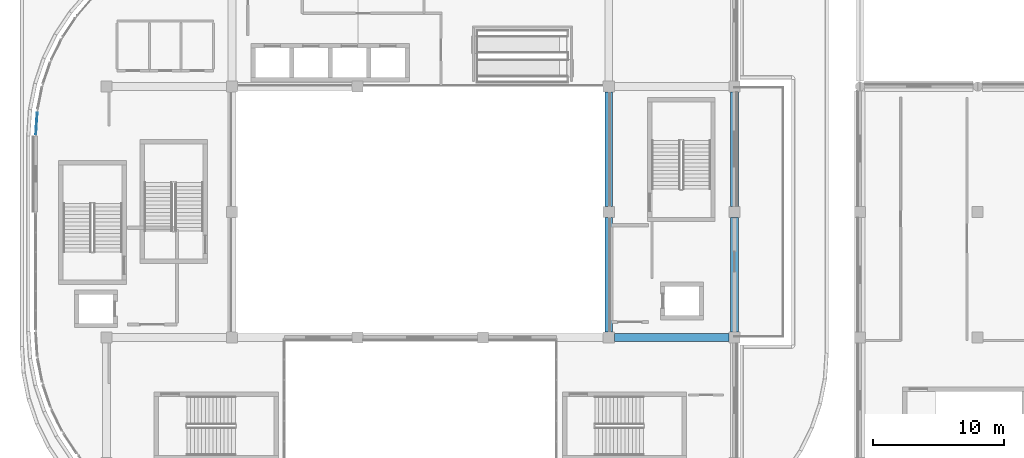
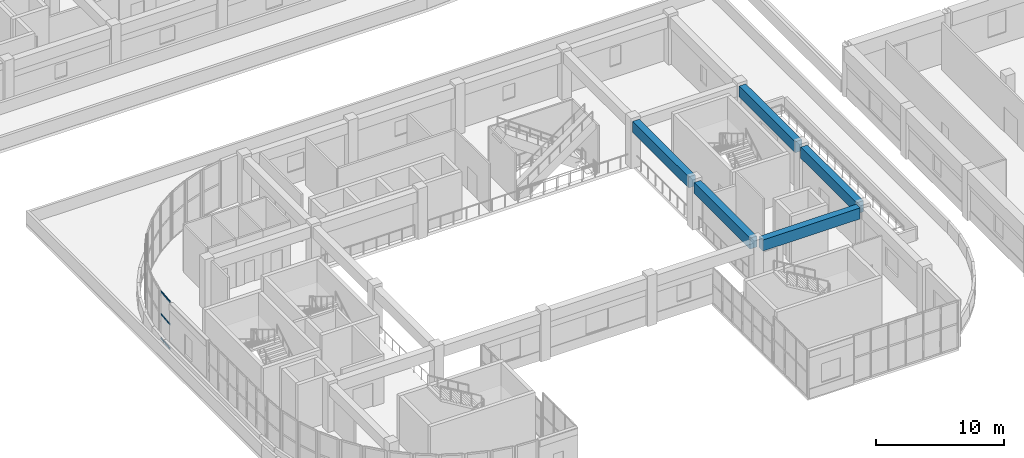
# One storey, part 7 of 67: 5 beams, 3 members, 1 element without a shape of its own.
"""IFC4 building model written with IfcOpenShell, lengths in metres."""

from ifc_helpers import new_model, si_unit, direction, frame, origin, origin_2d, place, context, subcontext, project, spatial, rectangle, extrude, material, layer, layer_set, material_profile, profile_set, type_object, element, aggregate, save


model = new_model("IFC4")

# Units and contexts
model_context = context("Model", 3, precision=1e-05, world=origin(), true_north=direction((0.0, 1.0)))
body_context = subcontext(model_context, "Body", "Model", "MODEL_VIEW")
ifc_project = project(units=[si_unit("LENGTHUNIT", "METRE"), si_unit("AREAUNIT", "SQUARE_METRE"), si_unit("VOLUMEUNIT", "CUBIC_METRE"), si_unit("PLANEANGLEUNIT", "RADIAN"), si_unit("MASSUNIT", "GRAM", prefix="KILO")], contexts=[model_context])

# Site, building, storey
site_placement = place(None, origin())
site = spatial("IfcSite", under=ifc_project, at=site_placement, CompositionType="ELEMENT")
building_placement = place(site_placement, origin())
building = spatial("IfcBuilding", under=site, at=building_placement, Name="Cendralis Terraced Arcade", CompositionType="ELEMENT")
storey_placement = place(building_placement, frame((0.0, 0.0, 15.0)))
storey = spatial("IfcBuildingStorey", under=building, at=storey_placement, Name="L03", CompositionType="ELEMENT", Elevation=15.0)

# Beams
ifc_material_1 = material(Name="Concrete f'c 35 MPa", Category="concrete")
ifc_material_profile_1 = material_profile(ifc_material_1, rectangle(XDim=0.60009765625, YDim=1.050048828125, at=origin_2d()), Name="RC-BM-600x1050", Category="LoadBearing")
ifc_profile_set_1 = profile_set([ifc_material_profile_1], Name="Concrete f'c 35 MPa")
beam_type = type_object("IfcBeamType", Name="BM-600x1050", PredefinedType="JOIST", material=ifc_profile_set_1)
for number, where, z_axis, x_axis, name in (
    (1, (48.425048828125, 19.199951171875, 3.9951171875), (1.0, 0.0, 0.0), (0.0, 1.0, 0.0), "Reinforced Concrete Frame Beam BM-X-L04-C-6_7"),
    (2, (48.0, 19.625, 3.9951171875), (0.0, 1.0, 0.0), (-1.0, 0.0, 0.0), "Reinforced Concrete Frame Beam BM-Y-L04-6-C_D"),
    (3, (48.0, 29.22509765625, 3.9951171875), (0.0, 1.0, 0.0), (-1.0, 0.0, 0.0), "Reinforced Concrete Frame Beam BM-Y-L04-6-D_E"),
    (4, (57.60009765625, 19.625, 3.9951171875), (0.0, 1.0, 0.0), (-1.0, 0.0, 0.0), "Reinforced Concrete Frame Beam BM-Y-L04-7-C_D"),
    (5, (57.60009765625, 29.22509765625, 3.9951171875), (0.0, 1.0, 0.0), (-1.0, 0.0, 0.0), "Reinforced Concrete Frame Beam BM-Y-L04-7-D_E"),
):
    element("IfcBeam", number, at=place(storey_placement, frame(where, z_axis=z_axis, x_axis=x_axis)), inside=storey, type_object=beam_type, Name=name, PredefinedType="JOIST", context=body_context, shape_type="SweptSolid", body=[
        extrude(rectangle(XDim=0.60009765625, YDim=1.050048828125, at=origin_2d()), origin(), (0.0, 0.0, 1.0), 8.75),
    ])

# Curtain wall, members
ifc_material_2 = material(Name="Anodised aluminium EN AW-6063 T6", Category="aluminium")
ifc_layer = layer(ifc_material_2, 0.179931640625, Name="CW-UNIT-A")
ifc_layer_set = layer_set([ifc_layer], Name="Anodised aluminium EN AW-6063 T6")
curtain_wall_type = type_object("IfcCurtainWallType", Name="CW-UNIT-A", PredefinedType="USERDEFINED", material=ifc_layer_set)
curtain_wall_placement = place(storey_placement, origin())
curtain_wall = element("IfcCurtainWall", 6, at=curtain_wall_placement, inside=storey, type_object=curtain_wall_type, Name="Exterior Unitised Facade CW-L03-0298", ObjectType="UNITISED FACADE", PredefinedType="USERDEFINED")
ifc_material_profile_2 = material_profile(ifc_material_2, rectangle(XDim=0.06494140625, YDim=0.14990234375, at=origin_2d()), Name="ALU-TRN-65x150")
ifc_profile_set_2 = profile_set([ifc_material_profile_2], Name="Anodised aluminium EN AW-6063 T6")
member_type = type_object("IfcMemberType", Name="CW-UNIT-A-TRN", PredefinedType="USERDEFINED", material=ifc_profile_set_2)
member_1_placement = place(storey_placement, frame((4.210205078125, 34.754638671875, 0.032470703125), z_axis=(0.065312640858, 0.997864850039, 0.0), x_axis=(-0.997864850039, 0.065312640858, 0.0)))
member_1 = element("IfcMember", 7, at=member_1_placement, type_object=member_type, Name="CW-U1 transom 1.1", ObjectType="TRANSOM", PredefinedType="USERDEFINED", context=body_context, shape_type="SweptSolid", body=[
    extrude(rectangle(XDim=0.06494140625, YDim=0.14990234375, at=origin_2d()), origin(), (0.0, 0.0, 1.0), 1.652099609375),
])
member_2_placement = place(storey_placement, frame((4.210205078125, 34.754638671875, 2.350341796875), z_axis=(0.065312640858, 0.997864850039, 0.0), x_axis=(-0.997864850039, 0.065312640858, 0.0)))
member_2 = element("IfcMember", 8, at=member_2_placement, type_object=member_type, Name="CW-U1 transom 1.2", ObjectType="TRANSOM", PredefinedType="USERDEFINED", context=body_context, shape_type="SweptSolid", body=[
    extrude(rectangle(XDim=0.06494140625, YDim=0.14990234375, at=origin_2d()), origin(), (0.0, 0.0, 1.0), 1.652099609375),
])
member_3_placement = place(storey_placement, frame((4.210205078125, 34.754638671875, 4.487548828125), z_axis=(0.065312640858, 0.997864850039, 0.0), x_axis=(-0.997864850039, 0.065312640858, 0.0)))
member_3 = element("IfcMember", 9, at=member_3_placement, type_object=member_type, Name="CW-U1 transom 1.3", ObjectType="TRANSOM", PredefinedType="USERDEFINED", context=body_context, shape_type="SweptSolid", body=[
    extrude(rectangle(XDim=0.06494140625, YDim=0.14990234375, at=origin_2d()), origin(), (0.0, 0.0, 1.0), 1.652099609375),
])
aggregate(curtain_wall, [member_1, member_2, member_3])

save(model, "model.ifc")
